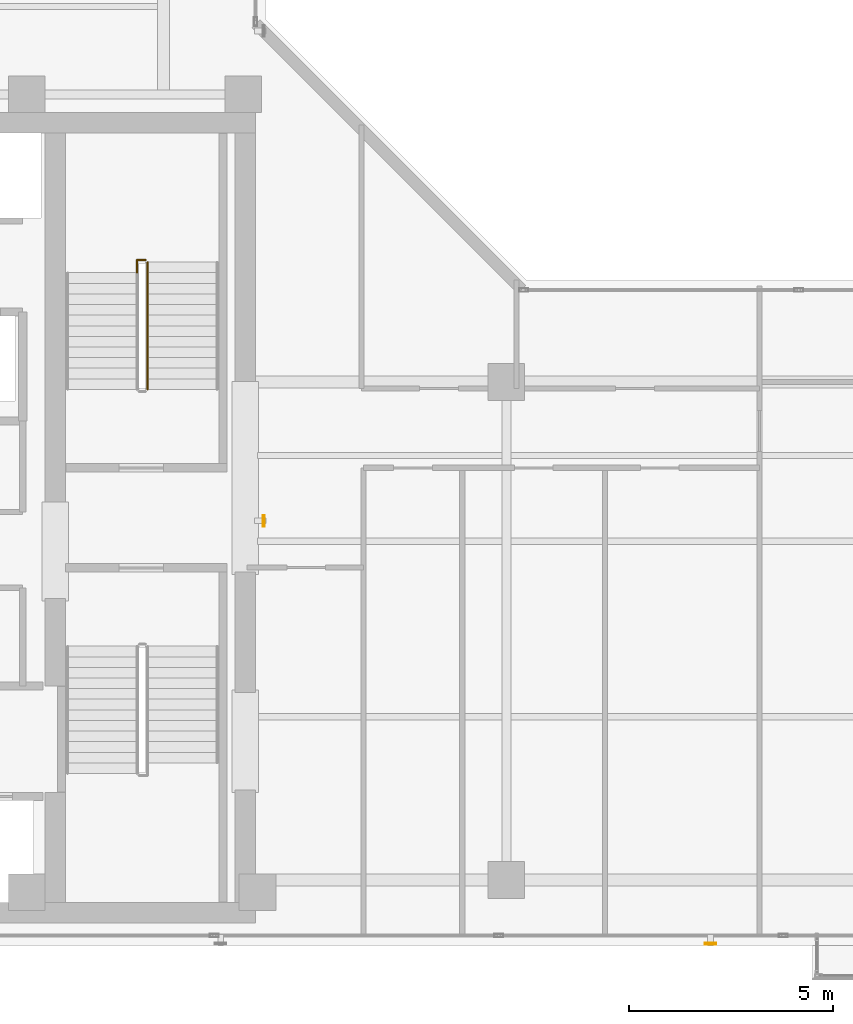
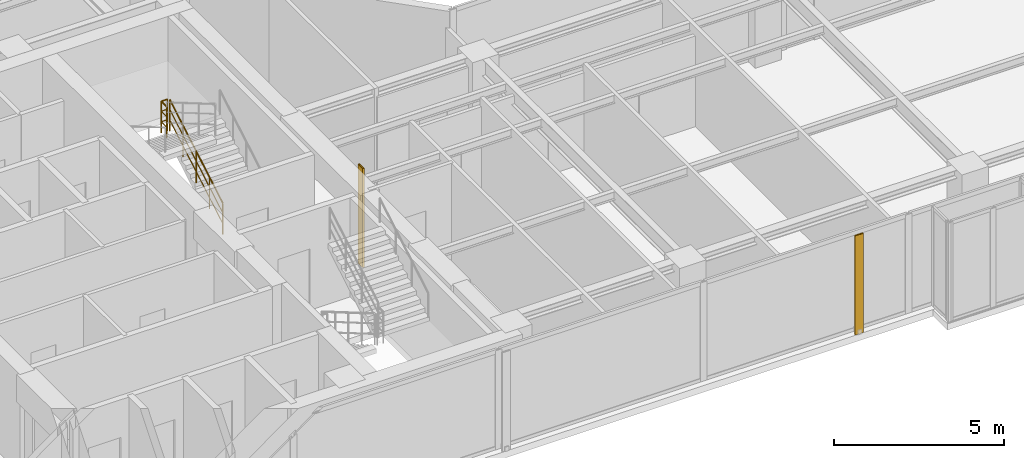
# One storey, part 21 of 24: 2 railings, 2 shading devices.
"""IFC4 building model written with IfcOpenShell, lengths in metres."""

from ifc_helpers import new_model, si_unit, direction, frame, origin, origin_2d, place, context, subcontext, project, spatial, hollow_rectangle, circle, extrude, material, material_profile, profile_set, type_object, element, save


model = new_model("IFC4")

# Units and contexts
model_context = context("Model", 3, precision=1e-05, world=origin(), true_north=direction((0.0, 1.0)))
body_context = subcontext(model_context, "Body", "Model", "MODEL_VIEW")
ifc_project = project(units=[si_unit("LENGTHUNIT", "METRE"), si_unit("AREAUNIT", "SQUARE_METRE"), si_unit("VOLUMEUNIT", "CUBIC_METRE"), si_unit("PLANEANGLEUNIT", "RADIAN"), si_unit("MASSUNIT", "GRAM", prefix="KILO")], contexts=[model_context])

# Site, building, storey
site_placement = place(None, origin())
site = spatial("IfcSite", under=ifc_project, at=site_placement, CompositionType="ELEMENT")
building_placement = place(site_placement, origin())
building = spatial("IfcBuilding", under=site, at=building_placement, Name="Kolvaren Waterfront Exchange", CompositionType="ELEMENT")
storey_placement = place(building_placement, frame((0.0, 0.0, 300.800048828125)))
storey = spatial("IfcBuildingStorey", under=building, at=storey_placement, Name="L77", CompositionType="ELEMENT", Elevation=300.800048828125)

# Shading devices
ifc_material_1 = material(Name="Anodised bronze aluminium 6063-T6", Category="aluminium")
ifc_material_profile = material_profile(ifc_material_1, hollow_rectangle(XDim=0.054931640625, YDim=0.280029296875, WallThickness=0.00439453125, at=origin_2d()), Name="BRZ-FIN-280x55x4.5")
ifc_profile_set = profile_set([ifc_material_profile], Name="Anodised bronze aluminium 6063-T6")
shading_device_type = type_object("IfcShadingDeviceType", Name="ARC-FIN-280", PredefinedType="USERDEFINED", material=ifc_profile_set)
for number, where, z_axis, x_axis, name in (
    (1, (32.199951171875, 3.639892578125, 0.0), (0.0, 0.0, 1.0), (0.0, -1.0, 0.0), "L77 anodised bronze solar shading fin FIN-L77-S3"),
    (2, (21.254638671875, 14.0, 0.0), (0.0, 0.0, 1.0), (1.0, 0.0, 0.0), "L77 anodised bronze solar shading fin FIN-L77-E1"),
):
    element("IfcShadingDevice", number, at=place(storey_placement, frame(where, z_axis=z_axis, x_axis=x_axis)), inside=storey, type_object=shading_device_type, Name=name, ObjectType="SOLAR FIN", PredefinedType="USERDEFINED", context=body_context, shape_type="SweptSolid", body=[
        extrude(hollow_rectangle(XDim=0.054931640625, YDim=0.280029296875, WallThickness=0.00439453125, at=origin_2d()), origin(), (0.0, 0.0, 1.0), 3.56005859375),
    ])

# Railings
ifc_material_2 = material(Name="Stainless steel 316", Category="steel")
railing_type = type_object("IfcRailingType", Name="ARC-GUARD-STAIR", PredefinedType="GUARDRAIL", material=ifc_material_2)
railing_1_placement = place(storey_placement, frame((18.409912109375, 17.219970703125, 0.15185546875)))
element("IfcRailing", 3, at=railing_1_placement, inside=storey, type_object=railing_type, Name="L77 ST2 stair guard 1", PredefinedType="GUARDRAIL", context=body_context, shape_type="SweptSolid", body=[
    extrude(circle(Radius=0.02392578125, at=origin_2d()), frame((0.0, 0.0, 1.1259765625), z_axis=(0.0, 0.86330811405, 0.504677223793), x_axis=(-1.0, 0.0, 0.0)), (0.0, 0.0, 1.0), 3.6142578125),
    extrude(circle(Radius=0.01611328125, at=origin_2d()), frame((0.0, 0.0, 0.390869140625), z_axis=(0.0, 0.86330811405, 0.504677223793), x_axis=(-1.0, 0.0, 0.0)), (0.0, 0.0, 1.0), 3.6142578125),
    extrude(circle(Radius=0.01611328125, at=origin_2d()), frame((0.0, 0.0, 0.7705078125), z_axis=(0.0, 0.86330811405, 0.504677223793), x_axis=(-1.0, 0.0, 0.0)), (0.0, 0.0, 1.0), 3.6142578125),
    extrude(circle(Radius=0.02099609375, at=origin_2d()), origin(), (0.0, 0.0, 1.0), 1.101806640625),
    extrude(circle(Radius=0.02099609375, at=origin_2d()), frame((0.0, 0.780029296875, 0.4560546875)), (0.0, 0.0, 1.0), 1.101806640625),
    extrude(circle(Radius=0.02099609375, at=origin_2d()), frame((0.0, 1.56005859375, 0.912109375)), (0.0, 0.0, 1.0), 1.101806640625),
    extrude(circle(Radius=0.02099609375, at=origin_2d()), frame((0.0, 2.340087890625, 1.367919921875)), (0.0, 0.0, 1.0), 1.101806640625),
    extrude(circle(Radius=0.02099609375, at=origin_2d()), frame((0.0, 3.1201171875, 1.823974609375)), (0.0, 0.0, 1.0), 1.101806640625),
])
railing_2_placement = place(storey_placement, frame((18.360107421875, 20.389892578125, 1.975830078125)))
element("IfcRailing", 4, at=railing_2_placement, inside=storey, type_object=railing_type, Name="L77 ST2 stair guard 2", PredefinedType="GUARDRAIL", context=body_context, shape_type="SweptSolid", body=[
    extrude(circle(Radius=0.02392578125, at=origin_2d()), frame((0.0, 0.0, 1.1259765625), z_axis=(-1.0, 0.0, 0.0), x_axis=(0.0, -1.0, 0.0)), (0.0, 0.0, 1.0), 0.210205078125),
    extrude(circle(Radius=0.01611328125, at=origin_2d()), frame((0.0, 0.0, 0.390869140625), z_axis=(-1.0, 0.0, 0.0), x_axis=(0.0, -1.0, 0.0)), (0.0, 0.0, 1.0), 0.210205078125),
    extrude(circle(Radius=0.01611328125, at=origin_2d()), frame((0.0, 0.0, 0.7705078125), z_axis=(-1.0, 0.0, 0.0), x_axis=(0.0, -1.0, 0.0)), (0.0, 0.0, 1.0), 0.210205078125),
    extrude(circle(Radius=0.02392578125, at=origin_2d()), frame((-0.210205078125, 0.0, 1.1259765625), z_axis=(0.0, -1.0, 0.0), x_axis=(1.0, 0.0, 0.0)), (0.0, 0.0, 1.0), 0.309814453125),
    extrude(circle(Radius=0.01611328125, at=origin_2d()), frame((-0.210205078125, 0.0, 0.390869140625), z_axis=(0.0, -1.0, 0.0), x_axis=(1.0, 0.0, 0.0)), (0.0, 0.0, 1.0), 0.309814453125),
    extrude(circle(Radius=0.01611328125, at=origin_2d()), frame((-0.210205078125, 0.0, 0.7705078125), z_axis=(0.0, -1.0, 0.0), x_axis=(1.0, 0.0, 0.0)), (0.0, 0.0, 1.0), 0.309814453125),
    extrude(circle(Radius=0.02099609375, at=origin_2d()), origin(), (0.0, 0.0, 1.0), 1.101806640625),
    extrude(circle(Radius=0.02099609375, at=origin_2d()), frame((-0.210205078125, 0.0, 0.0)), (0.0, 0.0, 1.0), 1.101806640625),
    extrude(circle(Radius=0.02099609375, at=origin_2d()), frame((-0.210205078125, -0.309814453125, 0.0)), (0.0, 0.0, 1.0), 1.101806640625),
])

save(model, "model.ifc")
